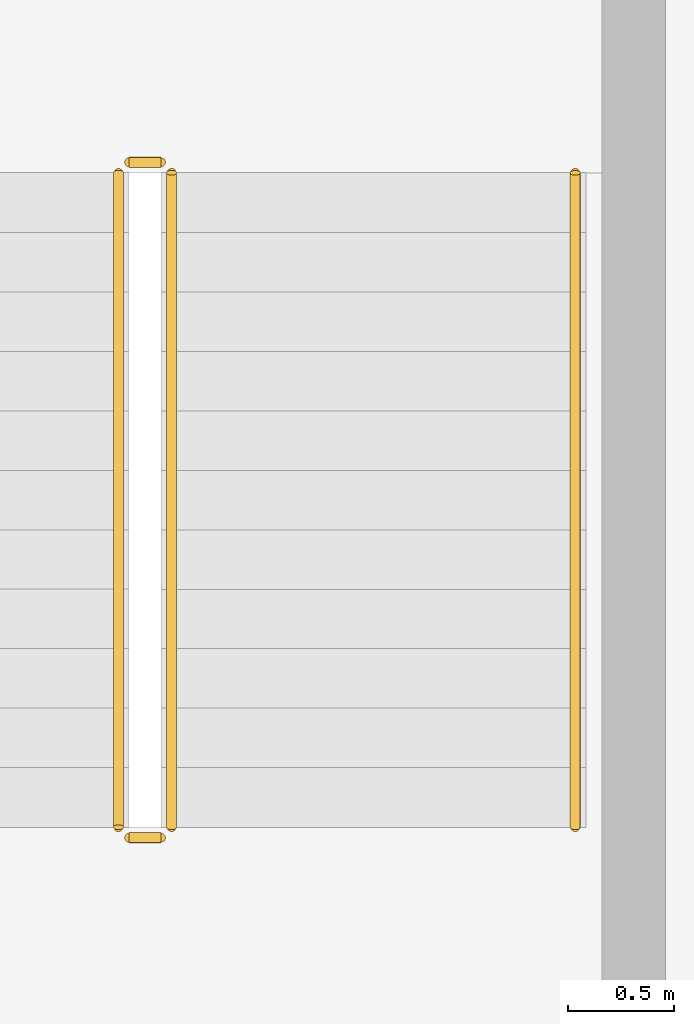
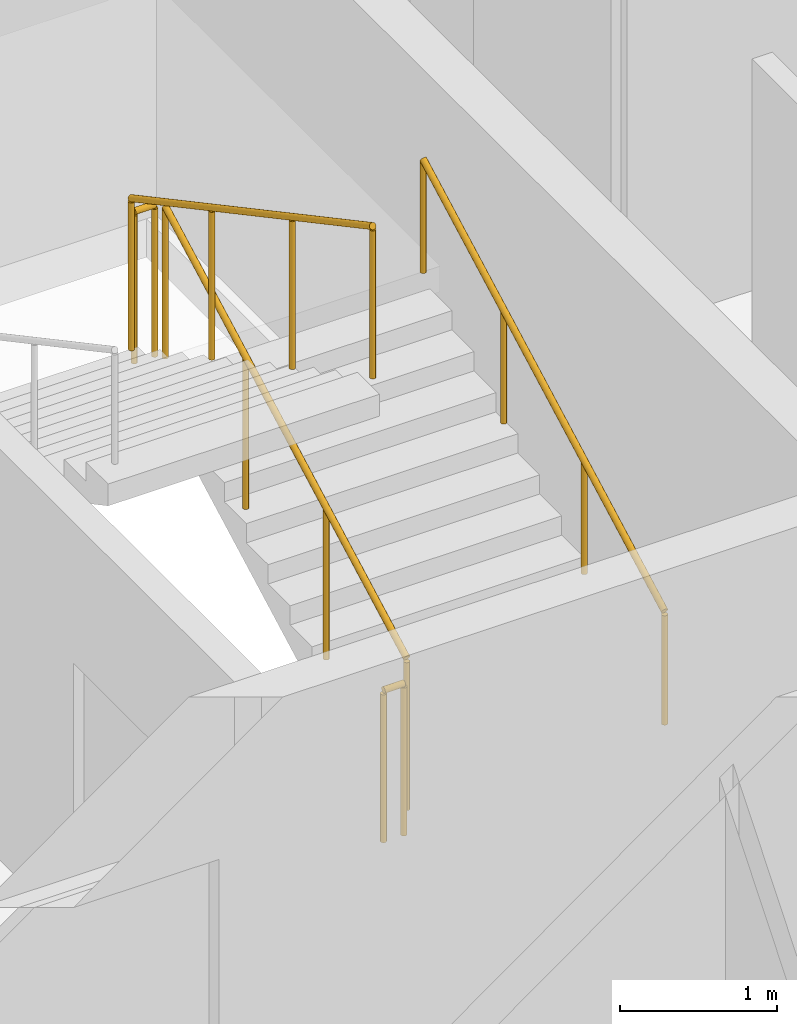
# One storey, part 15 of 15: 5 railings.
"""IFC4 building model written with IfcOpenShell, lengths in metres."""

from ifc_helpers import new_model, si_unit, direction, frame, origin, origin_2d, place, context, subcontext, project, spatial, circle, extrude, material, type_object, element, save


model = new_model("IFC4")

# Units and contexts
model_context = context("Model", 3, precision=1e-05, world=origin(), true_north=direction((0.0, 1.0)))
body_context = subcontext(model_context, "Body", "Model", "MODEL_VIEW")
ifc_project = project(units=[si_unit("LENGTHUNIT", "METRE"), si_unit("AREAUNIT", "SQUARE_METRE"), si_unit("VOLUMEUNIT", "CUBIC_METRE"), si_unit("PLANEANGLEUNIT", "RADIAN"), si_unit("MASSUNIT", "GRAM", prefix="KILO")], contexts=[model_context])

# Site, building, storey
site_placement = place(None, origin())
site = spatial("IfcSite", under=ifc_project, at=site_placement, CompositionType="ELEMENT")
building_placement = place(site_placement, origin())
building = spatial("IfcBuilding", under=site, at=building_placement, Name="Caravel Reach Hotel and Residences", CompositionType="ELEMENT")
storey_placement = place(building_placement, frame((0.0, 0.0, 92.39990234375)))
storey = spatial("IfcBuildingStorey", under=building, at=storey_placement, Name="L22", CompositionType="ELEMENT", Elevation=92.39990234375)

# Railings
ifc_material_1 = material(Name="Steel balustrade with glass infill", Category="steel")
railing_type_1 = type_object("IfcRailingType", Name="Guard 1200", PredefinedType="GUARDRAIL", material=ifc_material_1)
railing_1_placement = place(storey_placement, frame((42.824951171875, 24.64990234375, 0.150146484375)))
element("IfcRailing", 1, at=railing_1_placement, inside=storey, type_object=railing_type_1, Name="L22 ST-B stair guard 1", PredefinedType="GUARDRAIL", context=body_context, shape_type="SweptSolid", body=[
    extrude(circle(Radius=0.02392578125, at=origin_2d()), frame((0.0, 0.0, 1.17578125), z_axis=(0.0, 0.881496589024, 0.472190389079), x_axis=(-1.0, 0.0, 0.0)), (0.0, 0.0, 1.0), 3.494140625),
    extrude(circle(Radius=0.02099609375, at=origin_2d()), origin(), (0.0, 0.0, 1.0), 1.15185546875),
    extrude(circle(Radius=0.02099609375, at=origin_2d()), frame((0.0, 1.026611328125, 0.550048828125)), (0.0, 0.0, 1.0), 1.15185546875),
    extrude(circle(Radius=0.02099609375, at=origin_2d()), frame((0.0, 2.053466796875, 1.099853515625)), (0.0, 0.0, 1.0), 1.15185546875),
    extrude(circle(Radius=0.02099609375, at=origin_2d()), frame((0.0, 3.080078125, 1.64990234375)), (0.0, 0.0, 1.0), 1.15185546875),
])
railing_2_placement = place(storey_placement, frame((42.77490234375, 27.780029296875, 1.800048828125)))
element("IfcRailing", 2, at=railing_2_placement, inside=storey, type_object=railing_type_1, Name="L22 ST-B stair guard 2", PredefinedType="GUARDRAIL", context=body_context, shape_type="SweptSolid", body=[
    extrude(circle(Radius=0.02392578125, at=origin_2d()), frame((0.0, 0.0, 1.17578125), z_axis=(-1.0, 0.0, 0.0), x_axis=(0.0, -1.0, 0.0)), (0.0, 0.0, 1.0), 0.14990234375),
    extrude(circle(Radius=0.02099609375, at=origin_2d()), origin(), (0.0, 0.0, 1.0), 1.15185546875),
    extrude(circle(Radius=0.02099609375, at=origin_2d()), frame((-0.14990234375, 0.0, 0.0)), (0.0, 0.0, 1.0), 1.15185546875),
])
railing_3_placement = place(storey_placement, frame((42.574951171875, 27.72998046875, 1.9501953125)))
element("IfcRailing", 3, at=railing_3_placement, inside=storey, type_object=railing_type_1, Name="L22 ST-B stair guard 3", PredefinedType="GUARDRAIL", context=body_context, shape_type="SweptSolid", body=[
    extrude(circle(Radius=0.02392578125, at=origin_2d()), frame((0.0, 0.0, 1.17578125), z_axis=(0.0, -0.881496589024, 0.472190389079), x_axis=(1.0, 0.0, 0.0)), (0.0, 0.0, 1.0), 3.494140625),
    extrude(circle(Radius=0.02099609375, at=origin_2d()), origin(), (0.0, 0.0, 1.0), 1.15185546875),
    extrude(circle(Radius=0.02099609375, at=origin_2d()), frame((0.0, -1.026611328125, 0.550048828125)), (0.0, 0.0, 1.0), 1.15185546875),
    extrude(circle(Radius=0.02099609375, at=origin_2d()), frame((0.0, -2.053466796875, 1.099853515625)), (0.0, 0.0, 1.0), 1.15185546875),
    extrude(circle(Radius=0.02099609375, at=origin_2d()), frame((0.0, -3.080078125, 1.64990234375)), (0.0, 0.0, 1.0), 1.15185546875),
])
railing_4_placement = place(storey_placement, frame((42.77490234375, 24.60009765625, 0.0)))
element("IfcRailing", 4, at=railing_4_placement, inside=storey, type_object=railing_type_1, Name="L22 ST-B stair guard 4", PredefinedType="GUARDRAIL", context=body_context, shape_type="SweptSolid", body=[
    extrude(circle(Radius=0.02392578125, at=origin_2d()), frame((0.0, 0.0, 1.17578125), z_axis=(-1.0, 0.0, 0.0), x_axis=(0.0, -1.0, 0.0)), (0.0, 0.0, 1.0), 0.14990234375),
    extrude(circle(Radius=0.02099609375, at=origin_2d()), origin(), (0.0, 0.0, 1.0), 1.15185546875),
    extrude(circle(Radius=0.02099609375, at=origin_2d()), frame((-0.14990234375, 0.0, 0.0)), (0.0, 0.0, 1.0), 1.15185546875),
])
ifc_material_2 = material(Name="Stainless steel handrail", Category="steel")
railing_type_2 = type_object("IfcRailingType", Name="Handrail 900", PredefinedType="HANDRAIL", material=ifc_material_2)
railing_5_placement = place(storey_placement, frame((44.72509765625, 24.64990234375, 0.150146484375)))
element("IfcRailing", 5, at=railing_5_placement, inside=storey, type_object=railing_type_2, Name="L22 ST-B stair handrail 1", PredefinedType="HANDRAIL", context=body_context, shape_type="SweptSolid", body=[
    extrude(circle(Radius=0.02392578125, at=origin_2d()), frame((0.0, 0.0, 0.8759765625), z_axis=(0.0, 0.881496589024, 0.472190389079), x_axis=(-1.0, 0.0, 0.0)), (0.0, 0.0, 1.0), 3.494140625),
    extrude(circle(Radius=0.02099609375, at=origin_2d()), origin(), (0.0, 0.0, 1.0), 0.851806640625),
    extrude(circle(Radius=0.02099609375, at=origin_2d()), frame((0.0, 1.026611328125, 0.550048828125)), (0.0, 0.0, 1.0), 0.851806640625),
    extrude(circle(Radius=0.02099609375, at=origin_2d()), frame((0.0, 2.053466796875, 1.099853515625)), (0.0, 0.0, 1.0), 0.851806640625),
    extrude(circle(Radius=0.02099609375, at=origin_2d()), frame((0.0, 3.080078125, 1.64990234375)), (0.0, 0.0, 1.0), 0.851806640625),
])

save(model, "model.ifc")
